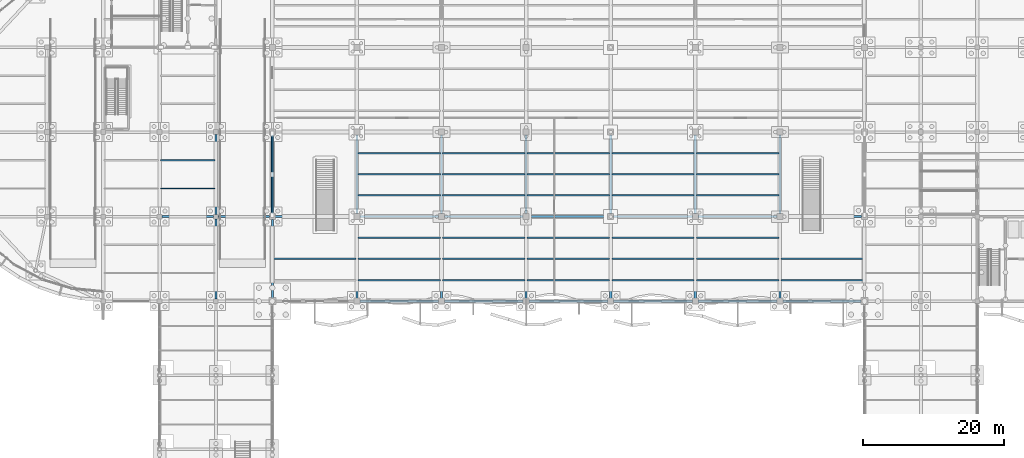
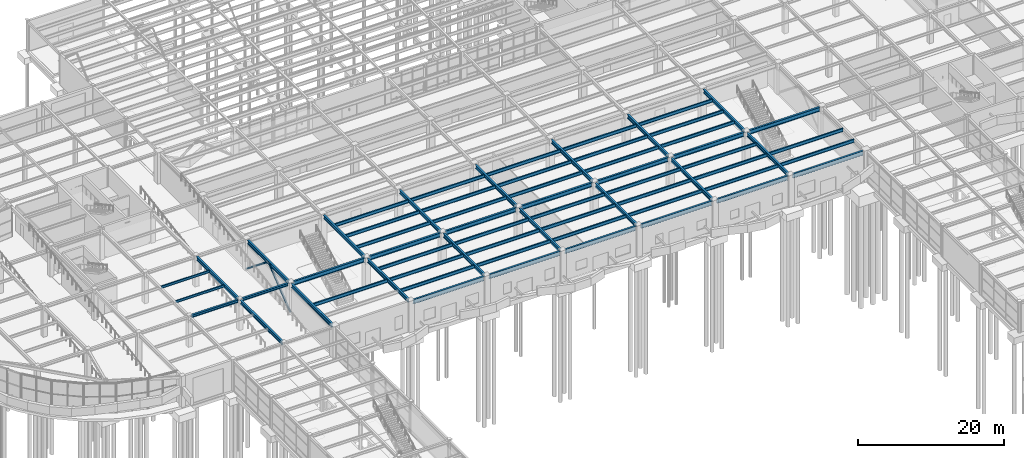
# One storey, part 29 of 85: 66 beams, 2 members.
"""IFC4 building model written with IfcOpenShell, lengths in metres."""

from ifc_helpers import new_model, si_unit, direction, frame, origin, origin_2d, place, context, subcontext, project, spatial, hollow_circle, i_section, extrude, material, material_profile, profile_set, type_object, element, save


model = new_model("IFC4")

# Units and contexts
model_context = context("Model", 3, precision=1e-05, world=origin(), true_north=direction((0.0, 1.0)))
body_context = subcontext(model_context, "Body", "Model", "MODEL_VIEW")
ifc_project = project(units=[si_unit("LENGTHUNIT", "METRE"), si_unit("AREAUNIT", "SQUARE_METRE"), si_unit("VOLUMEUNIT", "CUBIC_METRE"), si_unit("PLANEANGLEUNIT", "RADIAN"), si_unit("MASSUNIT", "GRAM", prefix="KILO")], contexts=[model_context])

# Site, building, storey
site_placement = place(None, origin())
site = spatial("IfcSite", under=ifc_project, at=site_placement, CompositionType="ELEMENT")
building_placement = place(site_placement, origin())
building = spatial("IfcBuilding", under=site, at=building_placement, Name="Keelwater Ferry Terminal", CompositionType="ELEMENT")
storey_placement = place(building_placement, origin())
storey = spatial("IfcBuildingStorey", under=building, at=storey_placement, Name="L00", CompositionType="ELEMENT", Elevation=0.0)

# Members
ifc_material_1 = material(Name="Steel S355", Category="steel")
ifc_material_profile_1 = material_profile(ifc_material_1, hollow_circle(Radius=0.161865234375, WallThickness=0.012451171875, at=origin_2d()), Name="CHS 323.9x12.5")
ifc_profile_set_1 = profile_set([ifc_material_profile_1], Name="Steel S355")
member_type = type_object("IfcMemberType", Name="BR1 CHS 323.9x12.5", PredefinedType="BRACE", material=ifc_profile_set_1)
for number, where, z_axis, x_axis, name in (
    (1, (48.0, 54.0, 0.0), (0.0, 0.780230351718, 0.625492284731), (-1.0, 0.0, 0.0), "Structural Member MB-L00-0549"),
    (2, (48.0, 66.0, 0.0), (0.0, -0.780230351718, 0.625492284731), (1.0, 0.0, 0.0), "Structural Member MB-L00-0550"),
):
    element("IfcMember", number, at=place(storey_placement, frame(where, z_axis=z_axis, x_axis=x_axis)), inside=storey, type_object=member_type, Name=name, PredefinedType="BRACE", context=body_context, shape_type="SweptSolid", body=[
        extrude(hollow_circle(Radius=0.161865234375, WallThickness=0.012451171875, at=origin_2d()), origin(), (0.0, 0.0, 1.0), 7.68994140625),
    ])

# Beams
ifc_material_2 = material(Name="Steel S355", Category="steel")
ifc_material_profile_2 = material_profile(ifc_material_2, i_section(OverallWidth=0.300048828125, OverallDepth=0.699951171875, WebThickness=0.01708984375, FlangeThickness=0.031982421875, at=origin_2d()), Name="HEB 700")
ifc_profile_set_2 = profile_set([ifc_material_profile_2], Name="Steel S355")
beam_type_1 = type_object("IfcBeamType", Name="G2 HEB 700", PredefinedType="BEAM", material=ifc_profile_set_2)
for number, where, z_axis, x_axis, name in (
    (3, (48.416015625, 54.0, 4.7099609375), (1.0, 0.0, 0.0), (0.0, 1.0, 0.0), "Beam BM-L00-0036"),
    (4, (60.416015625, 54.0, 4.7099609375), (1.0, 0.0, 0.0), (0.0, 1.0, 0.0), "Beam BM-L00-0037"),
    (5, (72.416015625, 54.0, 4.7099609375), (1.0, 0.0, 0.0), (0.0, 1.0, 0.0), "Beam BM-L00-0038"),
    (6, (84.416015625, 54.0, 4.7099609375), (1.0, 0.0, 0.0), (0.0, 1.0, 0.0), "Beam BM-L00-0039"),
    (7, (96.416015625, 54.0, 4.7099609375), (1.0, 0.0, 0.0), (0.0, 1.0, 0.0), "Beam BM-L00-0040"),
    (8, (108.416015625, 54.0, 4.7099609375), (1.0, 0.0, 0.0), (0.0, 1.0, 0.0), "Beam BM-L00-0041"),
    (9, (120.416015625, 54.0, 4.7099609375), (1.0, 0.0, 0.0), (0.0, 1.0, 0.0), "Beam BM-L00-0042"),
):
    element("IfcBeam", number, at=place(storey_placement, frame(where, z_axis=z_axis, x_axis=x_axis)), inside=storey, type_object=beam_type_1, Name=name, PredefinedType="BEAM", context=body_context, shape_type="SweptSolid", body=[
        extrude(i_section(OverallWidth=0.300048828125, OverallDepth=0.699951171875, WebThickness=0.01708984375, FlangeThickness=0.031982421875, at=origin_2d()), origin(), (0.0, 0.0, 1.0), 11.16796875),
    ])
ifc_material_3 = material(Name="Steel S355", Category="steel")
ifc_material_profile_3 = material_profile(ifc_material_3, i_section(OverallWidth=0.300048828125, OverallDepth=0.699951171875, WebThickness=0.01708984375, FlangeThickness=0.031982421875, at=origin_2d()), Name="HEB 700")
ifc_profile_set_3 = profile_set([ifc_material_profile_3], Name="Steel S355")
beam_type_2 = type_object("IfcBeamType", Name="G2E HEB 700", PredefinedType="BEAM", material=ifc_profile_set_3)
for number, where, z_axis, x_axis, name in (
    (10, (60.416015625, 42.0, 4.7099609375), (1.0, 0.0, 0.0), (0.0, 1.0, 0.0), "Beam BM-L00-0021"),
    (11, (72.416015625, 42.0, 4.7099609375), (1.0, 0.0, 0.0), (0.0, 1.0, 0.0), "Beam BM-L00-0022"),
    (12, (84.416015625, 42.0, 4.7099609375), (1.0, 0.0, 0.0), (0.0, 1.0, 0.0), "Beam BM-L00-0023"),
    (13, (96.416015625, 42.0, 4.7099609375), (1.0, 0.0, 0.0), (0.0, 1.0, 0.0), "Beam BM-L00-0024"),
    (14, (108.416015625, 42.0, 4.7099609375), (1.0, 0.0, 0.0), (0.0, 1.0, 0.0), "Beam BM-L00-0025"),
):
    element("IfcBeam", number, at=place(storey_placement, frame(where, z_axis=z_axis, x_axis=x_axis)), inside=storey, type_object=beam_type_2, Name=name, PredefinedType="BEAM", context=body_context, shape_type="SweptSolid", body=[
        extrude(i_section(OverallWidth=0.300048828125, OverallDepth=0.699951171875, WebThickness=0.01708984375, FlangeThickness=0.031982421875, at=origin_2d()), origin(), (0.0, 0.0, 1.0), 11.16796875),
    ])
beam_1_placement = place(storey_placement, frame((120.416015625, 42.0, 4.7099609375), z_axis=(1.0, 0.0, 0.0), x_axis=(0.0, 1.0, 0.0)))
element("IfcBeam", 15, at=beam_1_placement, inside=storey, type_object=beam_type_2, Name="Beam BM-L00-0026", PredefinedType="BEAM", context=body_context, shape_type="SweptSolid", body=[
    extrude(i_section(OverallWidth=0.300048828125, OverallDepth=0.699951171875, WebThickness=0.01708984375, FlangeThickness=0.031982421875, at=origin_2d()), origin(), (0.0, 0.0, 1.0), 11.093994140625),
])
ifc_material_4 = material(Name="Steel S355", Category="steel")
ifc_material_profile_4 = material_profile(ifc_material_4, i_section(OverallWidth=0.300048828125, OverallDepth=0.60009765625, WebThickness=0.015380859375, FlangeThickness=0.030029296875, at=origin_2d()), Name="HEB 600")
ifc_profile_set_4 = profile_set([ifc_material_profile_4], Name="Steel S355")
beam_type_3 = type_object("IfcBeamType", Name="G3 HEB 600", PredefinedType="BEAM", material=ifc_profile_set_4)
for number, where, z_axis, x_axis, name in (
    (16, (40.0, 42.318115234375, 4.760009765625), (0.0, 1.0, 0.0), (-1.0, 0.0, 0.0), "Beam BM-L00-0178"),
    (17, (40.0, 54.318115234375, 4.760009765625), (0.0, 1.0, 0.0), (-1.0, 0.0, 0.0), "Beam BM-L00-0179"),
):
    element("IfcBeam", number, at=place(storey_placement, frame(where, z_axis=z_axis, x_axis=x_axis)), inside=storey, type_object=beam_type_3, Name=name, PredefinedType="BEAM", context=body_context, shape_type="SweptSolid", body=[
        extrude(i_section(OverallWidth=0.300048828125, OverallDepth=0.60009765625, WebThickness=0.015380859375, FlangeThickness=0.030029296875, at=origin_2d()), origin(), (0.0, 0.0, 1.0), 11.36376953125),
    ])
for number, where, z_axis, x_axis, name in (
    (18, (60.0, 42.416015625, 4.760009765625), (0.0, 1.0, 0.0), (-1.0, 0.0, 0.0), "Beam BM-L00-0196"),
    (19, (60.0, 54.416015625, 4.760009765625), (0.0, 1.0, 0.0), (-1.0, 0.0, 0.0), "Beam BM-L00-0197"),
    (20, (72.0, 42.416015625, 4.760009765625), (0.0, 1.0, 0.0), (-1.0, 0.0, 0.0), "Beam BM-L00-0204"),
    (21, (72.0, 54.416015625, 4.760009765625), (0.0, 1.0, 0.0), (-1.0, 0.0, 0.0), "Beam BM-L00-0205"),
    (22, (84.0, 42.416015625, 4.760009765625), (0.0, 1.0, 0.0), (-1.0, 0.0, 0.0), "Beam BM-L00-0212"),
    (23, (84.0, 54.416015625, 4.760009765625), (0.0, 1.0, 0.0), (-1.0, 0.0, 0.0), "Beam BM-L00-0213"),
    (24, (96.0, 42.416015625, 4.760009765625), (0.0, 1.0, 0.0), (-1.0, 0.0, 0.0), "Beam BM-L00-0220"),
    (25, (96.0, 54.416015625, 4.760009765625), (0.0, 1.0, 0.0), (-1.0, 0.0, 0.0), "Beam BM-L00-0221"),
    (26, (120.0, 42.416015625, 4.760009765625), (0.0, 1.0, 0.0), (-1.0, 0.0, 0.0), "Beam BM-L00-0236"),
    (27, (120.0, 54.416015625, 4.760009765625), (0.0, 1.0, 0.0), (-1.0, 0.0, 0.0), "Beam BM-L00-0237"),
):
    element("IfcBeam", number, at=place(storey_placement, frame(where, z_axis=z_axis, x_axis=x_axis)), inside=storey, type_object=beam_type_3, Name=name, PredefinedType="BEAM", context=body_context, shape_type="SweptSolid", body=[
        extrude(i_section(OverallWidth=0.300048828125, OverallDepth=0.60009765625, WebThickness=0.015380859375, FlangeThickness=0.030029296875, at=origin_2d()), origin(), (0.0, 0.0, 1.0), 11.16796875),
    ])
ifc_material_5 = material(Name="Steel S355", Category="steel")
ifc_material_profile_5 = material_profile(ifc_material_5, i_section(OverallWidth=0.300048828125, OverallDepth=0.60009765625, WebThickness=0.015380859375, FlangeThickness=0.030029296875, at=origin_2d()), Name="HEB 600")
ifc_profile_set_5 = profile_set([ifc_material_profile_5], Name="Steel S355")
beam_type_4 = type_object("IfcBeamType", Name="G3E HEB 600", PredefinedType="BEAM", material=ifc_profile_set_5)
beam_2_placement = place(storey_placement, frame((48.0, 42.489990234375, 4.760009765625), z_axis=(0.0, 1.0, 0.0), x_axis=(-1.0, 0.0, 0.0)))
element("IfcBeam", 28, at=beam_2_placement, inside=storey, type_object=beam_type_4, Name="Beam BM-L00-0188", PredefinedType="BEAM", context=body_context, shape_type="SweptSolid", body=[
    extrude(i_section(OverallWidth=0.300048828125, OverallDepth=0.60009765625, WebThickness=0.015380859375, FlangeThickness=0.030029296875, at=origin_2d()), origin(), (0.0, 0.0, 1.0), 11.093994140625),
])
for number, where, z_axis, x_axis, name in (
    (29, (48.0, 54.416015625, 4.760009765625), (0.0, 1.0, 0.0), (-1.0, 0.0, 0.0), "Beam BM-L00-0189"),
    (30, (108.0, 42.416015625, 4.760009765625), (0.0, 1.0, 0.0), (-1.0, 0.0, 0.0), "Beam BM-L00-0228"),
    (31, (108.0, 54.416015625, 4.760009765625), (0.0, 1.0, 0.0), (-1.0, 0.0, 0.0), "Beam BM-L00-0229"),
):
    element("IfcBeam", number, at=place(storey_placement, frame(where, z_axis=z_axis, x_axis=x_axis)), inside=storey, type_object=beam_type_4, Name=name, PredefinedType="BEAM", context=body_context, shape_type="SweptSolid", body=[
        extrude(i_section(OverallWidth=0.300048828125, OverallDepth=0.60009765625, WebThickness=0.015380859375, FlangeThickness=0.030029296875, at=origin_2d()), origin(), (0.0, 0.0, 1.0), 11.16796875),
    ])
ifc_material_6 = material(Name="Steel S355", Category="steel")
ifc_material_profile_6 = material_profile(ifc_material_6, i_section(OverallWidth=0.300048828125, OverallDepth=0.449951171875, WebThickness=0.013916015625, FlangeThickness=0.02587890625, at=origin_2d()), Name="HEB 450")
ifc_profile_set_6 = profile_set([ifc_material_profile_6], Name="Steel S355")
beam_type_5 = type_object("IfcBeamType", Name="G6 HEB 450", PredefinedType="BEAM", material=ifc_profile_set_6)
beam_3_placement = place(storey_placement, frame((32.318115234375, 54.0, 4.8349609375), z_axis=(1.0, 0.0, 0.0), x_axis=(0.0, 1.0, 0.0)))
element("IfcBeam", 32, at=beam_3_placement, inside=storey, type_object=beam_type_5, Name="Beam BM-L00-0034", PredefinedType="BEAM", context=body_context, shape_type="SweptSolid", body=[
    extrude(i_section(OverallWidth=0.300048828125, OverallDepth=0.449951171875, WebThickness=0.013916015625, FlangeThickness=0.02587890625, at=origin_2d()), origin(), (0.0, 0.0, 1.0), 7.36376953125),
])
beam_4_placement = place(storey_placement, frame((40.318115234375, 54.0, 4.8349609375), z_axis=(1.0, 0.0, 0.0), x_axis=(0.0, 1.0, 0.0)))
element("IfcBeam", 33, at=beam_4_placement, inside=storey, type_object=beam_type_5, Name="Beam BM-L00-0035", PredefinedType="BEAM", context=body_context, shape_type="SweptSolid", body=[
    extrude(i_section(OverallWidth=0.300048828125, OverallDepth=0.449951171875, WebThickness=0.013916015625, FlangeThickness=0.02587890625, at=origin_2d()), origin(), (0.0, 0.0, 1.0), 7.265869140625),
])
ifc_material_7 = material(Name="Steel S355", Category="steel")
ifc_material_profile_7 = material_profile(ifc_material_7, i_section(OverallWidth=0.2099609375, OverallDepth=0.550048828125, WebThickness=0.010986328125, FlangeThickness=0.01708984375, at=origin_2d()), Name="IPE 550")
ifc_profile_set_7 = profile_set([ifc_material_profile_7], Name="Steel S355")
beam_type_6 = type_object("IfcBeamType", Name="J2 IPE 550", PredefinedType="JOIST", material=ifc_profile_set_7)
for number, where, z_axis, x_axis, name in (
    (34, (48.14990234375, 48.0, 4.784912109375), (1.0, 0.0, 0.0), (0.0, 1.0, 0.0), "Beam BM-L00-0347"),
    (35, (60.14990234375, 45.0, 4.784912109375), (1.0, 0.0, 0.0), (0.0, 1.0, 0.0), "Beam BM-L00-0366"),
    (36, (60.14990234375, 48.0, 4.784912109375), (1.0, 0.0, 0.0), (0.0, 1.0, 0.0), "Beam BM-L00-0367"),
    (37, (60.14990234375, 51.0, 4.784912109375), (1.0, 0.0, 0.0), (0.0, 1.0, 0.0), "Beam BM-L00-0368"),
    (38, (60.14990234375, 57.0, 4.784912109375), (1.0, 0.0, 0.0), (0.0, 1.0, 0.0), "Beam BM-L00-0369"),
    (39, (60.14990234375, 60.0, 4.784912109375), (1.0, 0.0, 0.0), (0.0, 1.0, 0.0), "Beam BM-L00-0370"),
    (40, (60.14990234375, 63.0, 4.784912109375), (1.0, 0.0, 0.0), (0.0, 1.0, 0.0), "Beam BM-L00-0371"),
    (41, (72.14990234375, 45.0, 4.784912109375), (1.0, 0.0, 0.0), (0.0, 1.0, 0.0), "Beam BM-L00-0390"),
    (42, (72.14990234375, 48.0, 4.784912109375), (1.0, 0.0, 0.0), (0.0, 1.0, 0.0), "Beam BM-L00-0391"),
    (43, (72.14990234375, 51.0, 4.784912109375), (1.0, 0.0, 0.0), (0.0, 1.0, 0.0), "Beam BM-L00-0392"),
    (44, (72.14990234375, 57.0, 4.784912109375), (1.0, 0.0, 0.0), (0.0, 1.0, 0.0), "Beam BM-L00-0393"),
    (45, (72.14990234375, 60.0, 4.784912109375), (1.0, 0.0, 0.0), (0.0, 1.0, 0.0), "Beam BM-L00-0394"),
    (46, (72.14990234375, 63.0, 4.784912109375), (1.0, 0.0, 0.0), (0.0, 1.0, 0.0), "Beam BM-L00-0395"),
    (47, (84.14990234375, 45.0, 4.784912109375), (1.0, 0.0, 0.0), (0.0, 1.0, 0.0), "Beam BM-L00-0414"),
    (48, (84.14990234375, 48.0, 4.784912109375), (1.0, 0.0, 0.0), (0.0, 1.0, 0.0), "Beam BM-L00-0415"),
    (49, (84.14990234375, 51.0, 4.784912109375), (1.0, 0.0, 0.0), (0.0, 1.0, 0.0), "Beam BM-L00-0416"),
    (50, (84.14990234375, 57.0, 4.784912109375), (1.0, 0.0, 0.0), (0.0, 1.0, 0.0), "Beam BM-L00-0417"),
    (51, (84.14990234375, 60.0, 4.784912109375), (1.0, 0.0, 0.0), (0.0, 1.0, 0.0), "Beam BM-L00-0418"),
    (52, (84.14990234375, 63.0, 4.784912109375), (1.0, 0.0, 0.0), (0.0, 1.0, 0.0), "Beam BM-L00-0419"),
    (53, (96.14990234375, 45.0, 4.784912109375), (1.0, 0.0, 0.0), (0.0, 1.0, 0.0), "Beam BM-L00-0438"),
    (54, (96.14990234375, 48.0, 4.784912109375), (1.0, 0.0, 0.0), (0.0, 1.0, 0.0), "Beam BM-L00-0439"),
    (55, (96.14990234375, 51.0, 4.784912109375), (1.0, 0.0, 0.0), (0.0, 1.0, 0.0), "Beam BM-L00-0440"),
    (56, (96.14990234375, 57.0, 4.784912109375), (1.0, 0.0, 0.0), (0.0, 1.0, 0.0), "Beam BM-L00-0441"),
    (57, (96.14990234375, 60.0, 4.784912109375), (1.0, 0.0, 0.0), (0.0, 1.0, 0.0), "Beam BM-L00-0442"),
    (58, (96.14990234375, 63.0, 4.784912109375), (1.0, 0.0, 0.0), (0.0, 1.0, 0.0), "Beam BM-L00-0443"),
    (59, (108.14990234375, 45.0, 4.784912109375), (1.0, 0.0, 0.0), (0.0, 1.0, 0.0), "Beam BM-L00-0462"),
    (60, (108.14990234375, 48.0, 4.784912109375), (1.0, 0.0, 0.0), (0.0, 1.0, 0.0), "Beam BM-L00-0463"),
    (61, (108.14990234375, 51.0, 4.784912109375), (1.0, 0.0, 0.0), (0.0, 1.0, 0.0), "Beam BM-L00-0464"),
    (62, (108.14990234375, 57.0, 4.784912109375), (1.0, 0.0, 0.0), (0.0, 1.0, 0.0), "Beam BM-L00-0465"),
    (63, (108.14990234375, 60.0, 4.784912109375), (1.0, 0.0, 0.0), (0.0, 1.0, 0.0), "Beam BM-L00-0466"),
    (64, (108.14990234375, 63.0, 4.784912109375), (1.0, 0.0, 0.0), (0.0, 1.0, 0.0), "Beam BM-L00-0467"),
    (65, (120.14990234375, 45.0, 4.784912109375), (1.0, 0.0, 0.0), (0.0, 1.0, 0.0), "Beam BM-L00-0483"),
    (66, (120.14990234375, 48.0, 4.784912109375), (1.0, 0.0, 0.0), (0.0, 1.0, 0.0), "Beam BM-L00-0484"),
):
    element("IfcBeam", number, at=place(storey_placement, frame(where, z_axis=z_axis, x_axis=x_axis)), inside=storey, type_object=beam_type_6, Name=name, PredefinedType="JOIST", context=body_context, shape_type="SweptSolid", body=[
        extrude(i_section(OverallWidth=0.2099609375, OverallDepth=0.550048828125, WebThickness=0.010986328125, FlangeThickness=0.01708984375, at=origin_2d()), origin(), (0.0, 0.0, 1.0), 11.7001953125),
    ])
ifc_material_8 = material(Name="Steel S355", Category="steel")
ifc_material_profile_8 = material_profile(ifc_material_8, i_section(OverallWidth=0.179931640625, OverallDepth=0.39990234375, WebThickness=0.008544921875, FlangeThickness=0.013427734375, at=origin_2d()), Name="IPE 400")
ifc_profile_set_8 = profile_set([ifc_material_profile_8], Name="Steel S355")
beam_type_7 = type_object("IfcBeamType", Name="J5 IPE 400", PredefinedType="JOIST", material=ifc_profile_set_8)
for number, where, z_axis, x_axis, name in (
    (67, (32.14990234375, 58.0, 4.860107421875), (1.0, 0.0, 0.0), (0.0, 1.0, 0.0), "Beam BM-L00-0328"),
    (68, (32.14990234375, 62.0, 4.860107421875), (1.0, 0.0, 0.0), (0.0, 1.0, 0.0), "Beam BM-L00-0329"),
):
    element("IfcBeam", number, at=place(storey_placement, frame(where, z_axis=z_axis, x_axis=x_axis)), inside=storey, type_object=beam_type_7, Name=name, PredefinedType="JOIST", context=body_context, shape_type="SweptSolid", body=[
        extrude(i_section(OverallWidth=0.179931640625, OverallDepth=0.39990234375, WebThickness=0.008544921875, FlangeThickness=0.013427734375, at=origin_2d()), origin(), (0.0, 0.0, 1.0), 7.7001953125),
    ])

save(model, "model.ifc")
